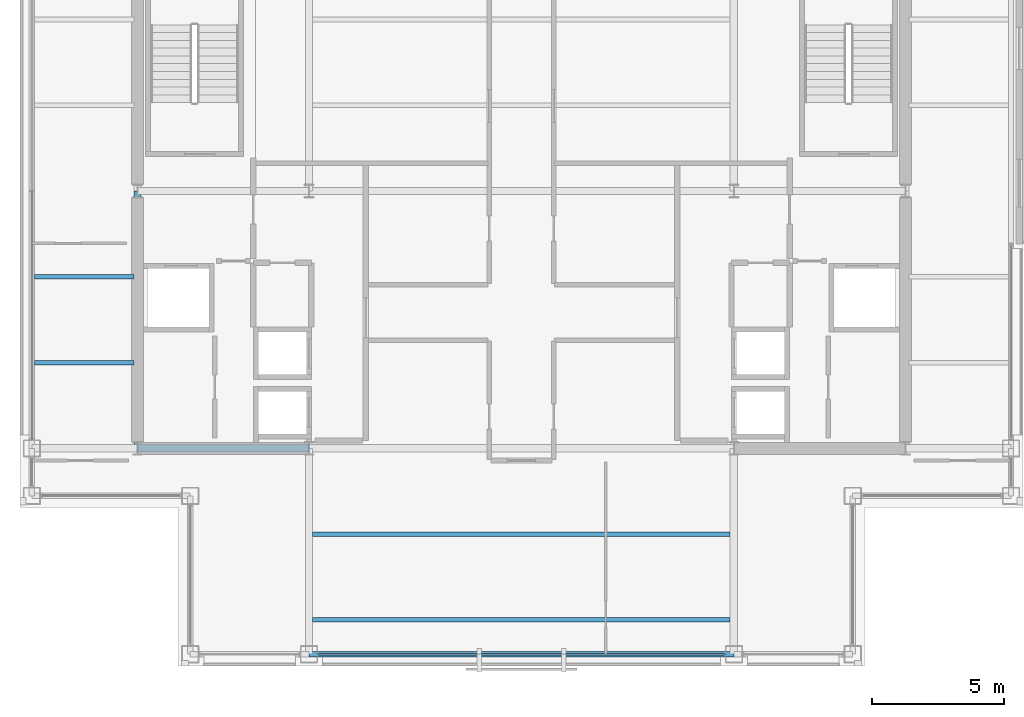
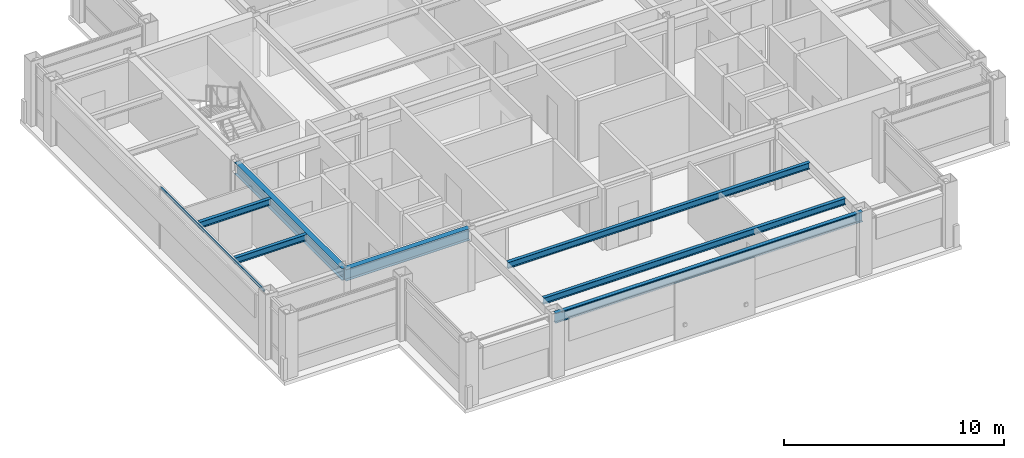
# One storey, part 3 of 23: 7 beams, 2 members, 2 elements without a shape of their own.
"""IFC4 building model written with IfcOpenShell, lengths in metres."""

from ifc_helpers import new_model, si_unit, direction, frame, origin, origin_2d, place, context, subcontext, project, spatial, hollow_rectangle, i_section, extrude, material, layer, layer_set, material_profile, profile_set, type_object, element, aggregate, save


model = new_model("IFC4")

# Units and contexts
model_context = context("Model", 3, precision=1e-05, world=origin(), true_north=direction((0.0, 1.0)))
body_context = subcontext(model_context, "Body", "Model", "MODEL_VIEW")
ifc_project = project(units=[si_unit("LENGTHUNIT", "METRE"), si_unit("AREAUNIT", "SQUARE_METRE"), si_unit("VOLUMEUNIT", "CUBIC_METRE"), si_unit("PLANEANGLEUNIT", "RADIAN"), si_unit("MASSUNIT", "GRAM", prefix="KILO")], contexts=[model_context])

# Site, building, storey
site_placement = place(None, origin())
site = spatial("IfcSite", under=ifc_project, at=site_placement, CompositionType="ELEMENT")
building_placement = place(site_placement, origin())
building = spatial("IfcBuilding", under=site, at=building_placement, Name="Brelmoor Portico Tower", CompositionType="ELEMENT")
storey_placement = place(building_placement, frame((0.0, 0.0, 222.0)))
storey = spatial("IfcBuildingStorey", under=building, at=storey_placement, Name="L58", CompositionType="ELEMENT", Elevation=222.0)

# Beams
ifc_material_1 = material(Name="Steel Q355B", Category="steel")
ifc_material_profile_1 = material_profile(ifc_material_1, i_section(OverallWidth=0.175048828125, OverallDepth=0.35009765625, WebThickness=0.007080078125, FlangeThickness=0.010986328125, at=origin_2d()), Name="HN 350x175x7x11")
ifc_profile_set_1 = profile_set([ifc_material_profile_1], Name="Steel Q355B")
beam_type_1 = type_object("IfcBeamType", Name="BM-JS-350", PredefinedType="JOIST", material=ifc_profile_set_1)
for number, where, z_axis, x_axis, name in (
    (1, (-7.909912109375, -16.25, 3.22509765625), (1.0, 0.0, 0.0), (0.0, 1.0, 0.0), "L58 Secondary Composite Joist JS-C01"),
    (2, (-7.909912109375, -13.0, 3.22509765625), (1.0, 0.0, 0.0), (0.0, 1.0, 0.0), "L58 Secondary Composite Joist JS-C02"),
):
    element("IfcBeam", number, at=place(storey_placement, frame(where, z_axis=z_axis, x_axis=x_axis)), inside=storey, type_object=beam_type_1, Name=name, PredefinedType="JOIST", context=body_context, shape_type="SweptSolid", body=[
        extrude(i_section(OverallWidth=0.175048828125, OverallDepth=0.35009765625, WebThickness=0.007080078125, FlangeThickness=0.010986328125, at=origin_2d()), origin(), (0.0, 0.0, 1.0), 15.81982421875),
    ])
for number, where, z_axis, x_axis, name in (
    (3, (-18.449951171875, -6.5, 3.22509765625), (1.0, 0.0, 0.0), (0.0, 1.0, 0.0), "L58 Secondary Wing Joist JS-W07"),
    (4, (-18.449951171875, -3.25, 3.22509765625), (1.0, 0.0, 0.0), (0.0, 1.0, 0.0), "L58 Secondary Wing Joist JS-W08"),
):
    element("IfcBeam", number, at=place(storey_placement, frame(where, z_axis=z_axis, x_axis=x_axis)), inside=storey, type_object=beam_type_1, Name=name, PredefinedType="JOIST", context=body_context, shape_type="SweptSolid", body=[
        extrude(i_section(OverallWidth=0.175048828125, OverallDepth=0.35009765625, WebThickness=0.007080078125, FlangeThickness=0.010986328125, at=origin_2d()), origin(), (0.0, 0.0, 1.0), 3.760009765625),
    ])
ifc_material_profile_2 = material_profile(ifc_material_1, i_section(OverallWidth=0.280029296875, OverallDepth=0.64990234375, WebThickness=0.012939453125, FlangeThickness=0.02197265625, at=origin_2d()), Name="HN 650x280x13x22")
ifc_profile_set_2 = profile_set([ifc_material_profile_2], Name="Steel Q355B")
beam_type_2 = type_object("IfcBeamType", Name="BM-PG-650", PredefinedType="BEAM", material=ifc_profile_set_2)
beam_1_placement = place(storey_placement, frame((-14.550048828125, -9.75, 3.074951171875), z_axis=(0.0, 1.0, 0.0), x_axis=(-1.0, 0.0, 0.0)))
element("IfcBeam", 5, at=beam_1_placement, inside=storey, type_object=beam_type_2, Name="L58 Primary Floor Girder PG-01", PredefinedType="BEAM", context=body_context, shape_type="SweptSolid", body=[
    extrude(i_section(OverallWidth=0.280029296875, OverallDepth=0.64990234375, WebThickness=0.012939453125, FlangeThickness=0.02197265625, at=origin_2d()), origin(), (0.0, 0.0, 1.0), 9.75),
])
beam_2_placement = place(storey_placement, frame((-14.550048828125, -9.75, 3.074951171875), z_axis=(1.0, 0.0, 0.0), x_axis=(0.0, 1.0, 0.0)))
element("IfcBeam", 6, at=beam_2_placement, inside=storey, type_object=beam_type_2, Name="L58 Primary Floor Girder PG-12", PredefinedType="BEAM", context=body_context, shape_type="SweptSolid", body=[
    extrude(i_section(OverallWidth=0.280029296875, OverallDepth=0.64990234375, WebThickness=0.012939453125, FlangeThickness=0.02197265625, at=origin_2d()), origin(), (0.0, 0.0, 1.0), 6.5),
])
ifc_material_profile_3 = material_profile(ifc_material_1, i_section(OverallWidth=0.199951171875, OverallDepth=0.550048828125, WebThickness=0.010009765625, FlangeThickness=0.01611328125, at=origin_2d()), Name="HN 550x200x10x16")
ifc_profile_set_3 = profile_set([ifc_material_profile_3], Name="Steel Q355B")
beam_type_3 = type_object("IfcBeamType", Name="BM-SP-550", PredefinedType="SPANDREL", material=ifc_profile_set_3)
beam_3_placement = place(storey_placement, frame((-8.050048828125, -17.550048828125, 3.125), z_axis=(1.0, 0.0, 0.0), x_axis=(0.0, 1.0, 0.0)))
element("IfcBeam", 7, at=beam_3_placement, inside=storey, type_object=beam_type_3, Name="L58 Perimeter Spandrel Beam SP-02", PredefinedType="SPANDREL", context=body_context, shape_type="SweptSolid", body=[
    extrude(i_section(OverallWidth=0.199951171875, OverallDepth=0.550048828125, WebThickness=0.010009765625, FlangeThickness=0.01611328125, at=origin_2d()), origin(), (0.0, 0.0, 1.0), 16.10009765625),
])

# Curtain wall, member
ifc_material_2 = material(Name="Anodised Aluminium Alloy 6063-T6", Category="aluminium")
ifc_layer = layer(ifc_material_2, 0.179931640625)
ifc_layer_set = layer_set([ifc_layer], Name="Anodised Aluminium Alloy 6063-T6")
curtain_wall_type = type_object("IfcCurtainWallType", Name="CW-TOWER-Z4-XB", PredefinedType="NOTDEFINED", material=ifc_layer_set)
curtain_wall_1_placement = place(storey_placement, origin())
curtain_wall_1 = element("IfcCurtainWall", 8, at=curtain_wall_1_placement, inside=storey, type_object=curtain_wall_type, Name="L58 Curtain Wall CW-L58-01-2", PredefinedType="NOTDEFINED")
ifc_material_profile_4 = material_profile(ifc_material_2, hollow_rectangle(XDim=0.06005859375, YDim=0.125, WallThickness=0.00341796875, at=origin_2d()), Name="ALU TRANSOM 60x125")
ifc_profile_set_4 = profile_set([ifc_material_profile_4], Name="Anodised Aluminium Alloy 6063-T6")
member_type = type_object("IfcMemberType", Name="MB-CW-TRAN-125", PredefinedType="USERDEFINED", material=ifc_profile_set_4)
member_1_placement = place(storey_placement, frame((-7.715087890625, -17.550048828125, 3.33740234375), z_axis=(1.0, 0.0, 0.0), x_axis=(0.0, 1.0, 0.0)))
member_1 = element("IfcMember", 9, at=member_1_placement, type_object=member_type, Name="CW-L58-01-2 Transom 1-00", ObjectType="TRANSOM", PredefinedType="USERDEFINED", context=body_context, shape_type="SweptSolid", body=[
    extrude(hollow_rectangle(XDim=0.06005859375, YDim=0.125, WallThickness=0.00341796875, at=origin_2d()), origin(), (0.0, 0.0, 1.0), 15.43017578125),
])
aggregate(curtain_wall_1, [member_1])

curtain_wall_2_placement = place(storey_placement, origin())
curtain_wall_2 = element("IfcCurtainWall", 10, at=curtain_wall_2_placement, inside=storey, type_object=curtain_wall_type, Name="L58 Curtain Wall CW-L58-03-2", PredefinedType="NOTDEFINED")
member_2_placement = place(storey_placement, frame((-18.550048828125, -9.4150390625, 3.33740234375), z_axis=(0.0, 1.0, 0.0), x_axis=(-1.0, 0.0, 0.0)))
member_2 = element("IfcMember", 11, at=member_2_placement, type_object=member_type, Name="CW-L58-03-2 Transom 1-00", ObjectType="TRANSOM", PredefinedType="USERDEFINED", context=body_context, shape_type="SweptSolid", body=[
    extrude(hollow_rectangle(XDim=0.06005859375, YDim=0.125, WallThickness=0.00341796875, at=origin_2d()), origin(), (0.0, 0.0, 1.0), 9.4150390625),
])
aggregate(curtain_wall_2, [member_2])

save(model, "model.ifc")
